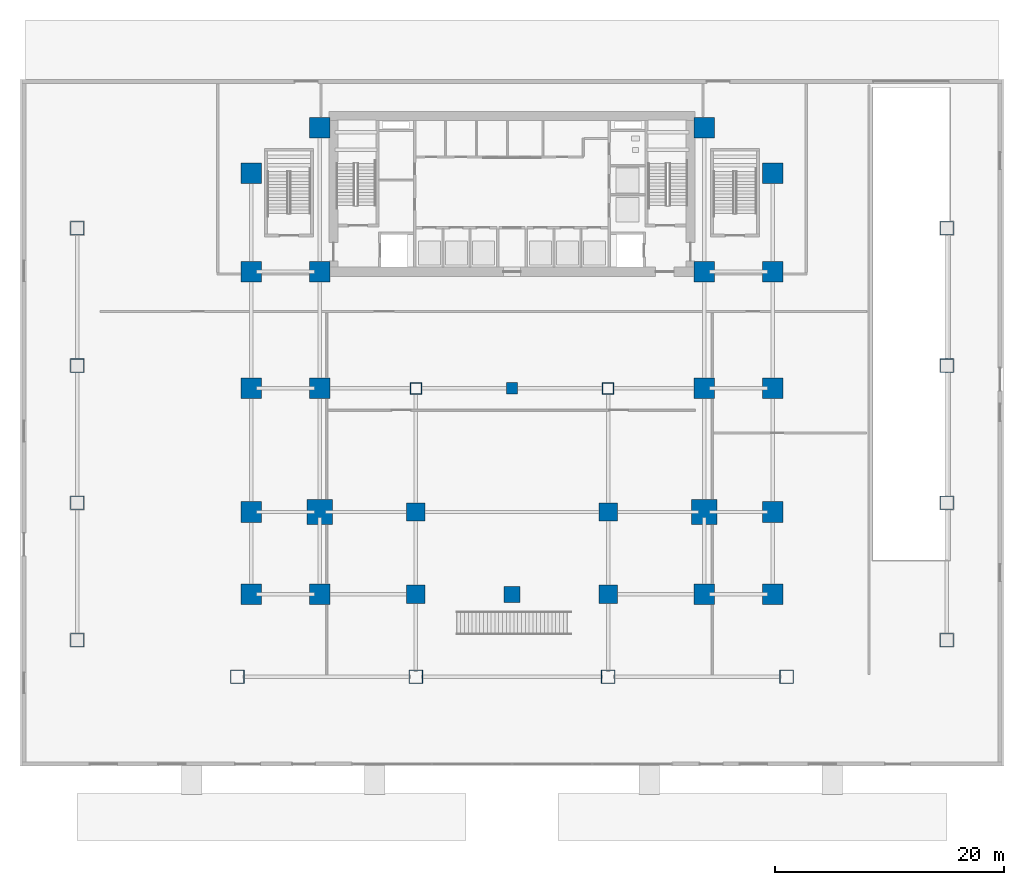
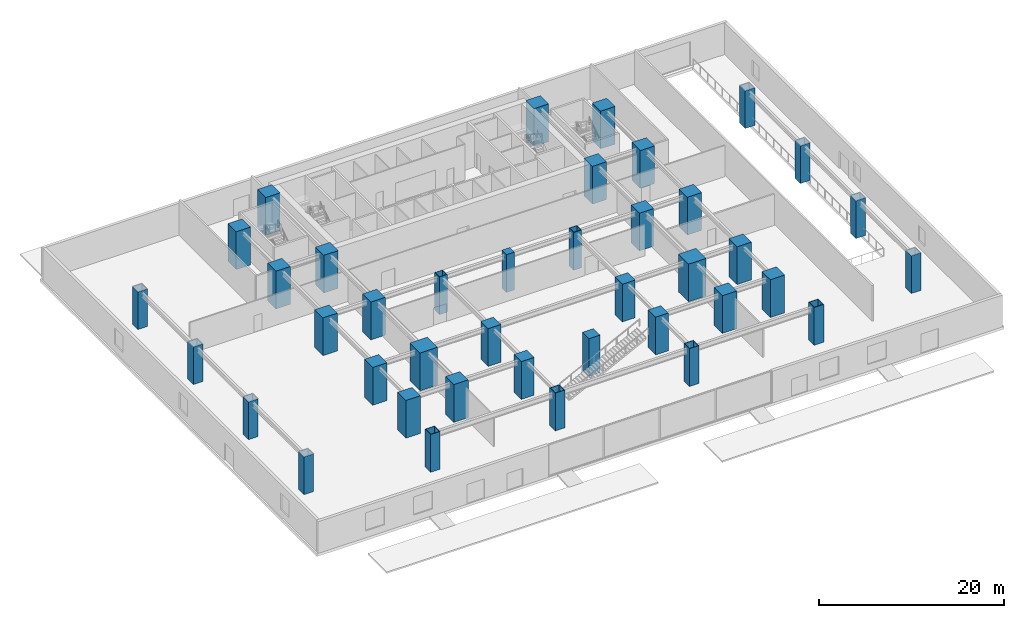
# One storey, part 1 of 18: 40 columns.
"""IFC4 building model written with IfcOpenShell, lengths in metres."""

from ifc_helpers import new_model, si_unit, direction, frame, origin, origin_with_axes, origin_2d, place, context, subcontext, project, spatial, rectangle, hollow_rectangle, extrude, source, transform, mapped, material, material_profile, profile_set, type_object, element, save


model = new_model("IFC4")

# Units and contexts
model_context = context("Model", 3, precision=1e-05, world=origin(), true_north=direction((0.0, 1.0)))
body_context = subcontext(model_context, "Body", "Model", "MODEL_VIEW")
ifc_project = project(units=[si_unit("LENGTHUNIT", "METRE"), si_unit("AREAUNIT", "SQUARE_METRE"), si_unit("VOLUMEUNIT", "CUBIC_METRE"), si_unit("PLANEANGLEUNIT", "RADIAN"), si_unit("MASSUNIT", "GRAM", prefix="KILO")], contexts=[model_context])

# Site, building, storey
site_placement = place(None, origin())
site = spatial("IfcSite", under=ifc_project, at=site_placement, CompositionType="ELEMENT")
building_placement = place(site_placement, origin())
building = spatial("IfcBuilding", under=site, at=building_placement, Name="Sumidabori Civic Tower", CompositionType="ELEMENT")
storey_placement = place(building_placement, origin())
storey = spatial("IfcBuildingStorey", under=building, at=storey_placement, Name="L00", CompositionType="ELEMENT", Elevation=0.0)

# Columns
ifc_material_1 = material(Name="Steel SM570", Category="steel")
ifc_material_profile_1 = material_profile(ifc_material_1, hollow_rectangle(XDim=1.199951171875, YDim=1.199951171875, WallThickness=0.054931640625, at=origin_2d()), Name="SHS 1200x1200x55")
ifc_profile_set_1 = profile_set([ifc_material_profile_1], Name="Steel SM570")
column_type_1 = type_object("IfcColumnType", Name="CL-POD-SHS1200", PredefinedType="COLUMN", material=ifc_profile_set_1)
shared_shape_1 = source(origin(), body_context, "Body", "SweptSolid", [
    extrude(hollow_rectangle(XDim=1.199951171875, YDim=1.199951171875, WallThickness=0.054931640625, at=origin_2d()), origin(), (0.0, 0.0, 1.0), 4.969970703125),
])
for number, where, z_axis, x_axis, name in (
    (1, (-38.0, -22.0, 0.0), (0.0, 0.0, 1.0), (1.0, 0.0, 0.0), "Column PC-W1 L00"),
    (2, (-38.0, -10.0, 0.0), (0.0, 0.0, 1.0), (1.0, 0.0, 0.0), "Column PC-W2 L00"),
    (3, (-38.0, 2.0, 0.0), (0.0, 0.0, 1.0), (1.0, 0.0, 0.0), "Column PC-W3 L00"),
    (4, (-38.0, 14.0, 0.0), (0.0, 0.0, 1.0), (1.0, 0.0, 0.0), "Column PC-W4 L00"),
    (5, (38.0, -22.0, 0.0), (0.0, 0.0, 1.0), (1.0, 0.0, 0.0), "Column PC-E1 L00"),
    (6, (38.0, -10.0, 0.0), (0.0, 0.0, 1.0), (1.0, 0.0, 0.0), "Column PC-E2 L00"),
    (7, (38.0, 2.0, 0.0), (0.0, 0.0, 1.0), (1.0, 0.0, 0.0), "Column PC-E3 L00"),
    (8, (38.0, 14.0, 0.0), (0.0, 0.0, 1.0), (1.0, 0.0, 0.0), "Column PC-E4 L00"),
):
    element("IfcColumn", number, at=place(storey_placement, frame(where, z_axis=z_axis, x_axis=x_axis)), inside=storey, type_object=column_type_1, Name=name, PredefinedType="COLUMN", context=body_context, shape_type="MappedRepresentation", body=[
        mapped(shared_shape_1, transform((0.0, 0.0, 0.0), x_axis=(1.0, 0.0, 0.0), y_axis=(0.0, 1.0, 0.0), z_axis=(0.0, 0.0, 1.0), scale=1.0)),
    ])
shared_shape_2 = source(origin(), body_context, "Body", "SweptSolid", [
    extrude(hollow_rectangle(XDim=1.199951171875, YDim=1.199951171875, WallThickness=0.054931640625, at=origin_2d()), origin(), (0.0, 0.0, 1.0), 5.0),
])
for number, where, z_axis, x_axis, name in (
    (9, (-24.0, -25.199951171875, 0.0), (0.0, 0.0, 1.0), (1.0, 0.0, 0.0), "Column PC-S1 L00"),
    (10, (-8.39990234375, -25.199951171875, 0.0), (0.0, 0.0, 1.0), (1.0, 0.0, 0.0), "Column PC-S2 L00"),
    (11, (8.39990234375, -25.199951171875, 0.0), (0.0, 0.0, 1.0), (1.0, 0.0, 0.0), "Column PC-S3 L00"),
    (12, (24.0, -25.199951171875, 0.0), (0.0, 0.0, 1.0), (1.0, 0.0, 0.0), "Column PC-S4 L00"),
):
    element("IfcColumn", number, at=place(storey_placement, frame(where, z_axis=z_axis, x_axis=x_axis)), inside=storey, type_object=column_type_1, Name=name, PredefinedType="COLUMN", context=body_context, shape_type="MappedRepresentation", body=[
        mapped(shared_shape_2, transform((0.0, 0.0, 0.0), x_axis=(1.0, 0.0, 0.0), y_axis=(0.0, 1.0, 0.0), z_axis=(0.0, 0.0, 1.0), scale=1.0)),
    ])
ifc_material_2 = material(Name="Concrete C60/75", Category="concrete")
ifc_material_profile_2 = material_profile(ifc_material_2, rectangle(XDim=1.800048828125, YDim=1.800048828125, at=origin_2d()), Name="RC 1800x1800")
ifc_profile_set_2 = profile_set([ifc_material_profile_2], Name="Concrete C60/75")
column_type_2 = type_object("IfcColumnType", Name="CL-MEGA-1800", PredefinedType="COLUMN", material=ifc_profile_set_2)
shared_shape_3 = source(origin(), body_context, "Body", "SweptSolid", [
    extrude(rectangle(XDim=1.800048828125, YDim=1.800048828125, at=origin_2d()), origin(), (0.0, 0.0, 1.0), 5.0),
])
for number, where, z_axis, x_axis, name in (
    (13, (-16.800048828125, -18.0, 0.0), (0.0, 0.0, 1.0), (1.0, 0.0, 0.0), "Column MC-W16-Y18S L00"),
    (14, (-16.800048828125, 0.0, 0.0), (0.0, 0.0, 1.0), (1.0, 0.0, 0.0), "Column MC-W16-Y00 L00"),
    (15, (-16.800048828125, 10.199951171875, 0.0), (0.0, 0.0, 1.0), (1.0, 0.0, 0.0), "Column MC-W16-Y10N L00"),
    (16, (-16.800048828125, 22.800048828125, 0.0), (0.0, 0.0, 1.0), (1.0, 0.0, 0.0), "Column MC-W16-Y23N L00"),
    (17, (16.800048828125, -18.0, 0.0), (0.0, 0.0, 1.0), (1.0, 0.0, 0.0), "Column MC-E16-Y18S L00"),
    (18, (16.800048828125, 0.0, 0.0), (0.0, 0.0, 1.0), (1.0, 0.0, 0.0), "Column MC-E16-Y00 L00"),
    (19, (16.800048828125, 10.199951171875, 0.0), (0.0, 0.0, 1.0), (1.0, 0.0, 0.0), "Column MC-E16-Y10N L00"),
    (20, (16.800048828125, 22.800048828125, 0.0), (0.0, 0.0, 1.0), (1.0, 0.0, 0.0), "Column MC-E16-Y23N L00"),
    (21, (-22.800048828125, -18.0, 0.0), (0.0, 0.0, 1.0), (1.0, 0.0, 0.0), "Column MC-W23-Y18S L00"),
    (22, (-22.800048828125, -10.800048828125, 0.0), (0.0, 0.0, 1.0), (1.0, 0.0, 0.0), "Column MC-W23-Y11S L00"),
    (23, (-22.800048828125, 0.0, 0.0), (0.0, 0.0, 1.0), (1.0, 0.0, 0.0), "Column MC-W23-Y00 L00"),
    (24, (-22.800048828125, 10.199951171875, 0.0), (0.0, 0.0, 1.0), (1.0, 0.0, 0.0), "Column MC-W23-Y10N L00"),
    (25, (-22.800048828125, 18.800048828125, 0.0), (0.0, 0.0, 1.0), (1.0, 0.0, 0.0), "Column MC-W23-Y19N L00"),
    (26, (22.800048828125, -18.0, 0.0), (0.0, 0.0, 1.0), (1.0, 0.0, 0.0), "Column MC-E23-Y18S L00"),
    (27, (22.800048828125, -10.800048828125, 0.0), (0.0, 0.0, 1.0), (1.0, 0.0, 0.0), "Column MC-E23-Y11S L00"),
    (28, (22.800048828125, 0.0, 0.0), (0.0, 0.0, 1.0), (1.0, 0.0, 0.0), "Column MC-E23-Y00 L00"),
    (29, (22.800048828125, 10.199951171875, 0.0), (0.0, 0.0, 1.0), (1.0, 0.0, 0.0), "Column MC-E23-Y10N L00"),
    (30, (22.800048828125, 18.800048828125, 0.0), (0.0, 0.0, 1.0), (1.0, 0.0, 0.0), "Column MC-E23-Y19N L00"),
):
    element("IfcColumn", number, at=place(storey_placement, frame(where, z_axis=z_axis, x_axis=x_axis)), inside=storey, type_object=column_type_2, Name=name, PredefinedType="COLUMN", context=body_context, shape_type="MappedRepresentation", body=[
        mapped(shared_shape_3, transform((0.0, 0.0, 0.0), x_axis=(1.0, 0.0, 0.0), y_axis=(0.0, 1.0, 0.0), z_axis=(0.0, 0.0, 1.0), scale=1.0)),
    ])
ifc_material_profile_3 = material_profile(ifc_material_2, rectangle(XDim=2.199951171875, YDim=2.199951171875, at=origin_2d()), Name="RC 2200x2200")
ifc_profile_set_3 = profile_set([ifc_material_profile_3], Name="Concrete C60/75")
column_type_3 = type_object("IfcColumnType", Name="CL-SUPER-2200", PredefinedType="COLUMN", material=ifc_profile_set_3)
shared_shape_4 = source(origin(), body_context, "Body", "SweptSolid", [
    extrude(rectangle(XDim=2.199951171875, YDim=2.199951171875, at=origin_2d()), origin(), (0.0, 0.0, 1.0), 5.0),
])
for number, where, z_axis, x_axis, name in (
    (31, (-16.800048828125, -10.800048828125, 0.0), (0.0, 0.0, 1.0), (1.0, 0.0, 0.0), "Column MC-W16-Y11S L00"),
    (32, (16.800048828125, -10.800048828125, 0.0), (0.0, 0.0, 1.0), (1.0, 0.0, 0.0), "Column MC-E16-Y11S L00"),
):
    element("IfcColumn", number, at=place(storey_placement, frame(where, z_axis=z_axis, x_axis=x_axis)), inside=storey, type_object=column_type_3, Name=name, PredefinedType="COLUMN", context=body_context, shape_type="MappedRepresentation", body=[
        mapped(shared_shape_4, transform((0.0, 0.0, 0.0), x_axis=(1.0, 0.0, 0.0), y_axis=(0.0, 1.0, 0.0), z_axis=(0.0, 0.0, 1.0), scale=1.0)),
    ])
ifc_material_profile_4 = material_profile(ifc_material_2, rectangle(XDim=1.60009765625, YDim=1.60009765625, at=origin_2d()), Name="RC 1600x1600")
ifc_profile_set_4 = profile_set([ifc_material_profile_4], Name="Concrete C60/75")
column_type_4 = type_object("IfcColumnType", Name="CL-MEGA-1600", PredefinedType="COLUMN", material=ifc_profile_set_4)
shared_shape_5 = source(origin(), body_context, "Body", "SweptSolid", [
    extrude(rectangle(XDim=1.60009765625, YDim=1.60009765625, at=origin_2d()), origin(), (0.0, 0.0, 1.0), 5.0),
])
for number, where, z_axis, x_axis, name in (
    (33, (-8.39990234375, -18.0, 0.0), (0.0, 0.0, 1.0), (1.0, 0.0, 0.0), "Column MC-W08-Y18S L00"),
    (34, (-8.39990234375, -10.800048828125, 0.0), (0.0, 0.0, 1.0), (1.0, 0.0, 0.0), "Column MC-W08-Y11S L00"),
    (35, (8.39990234375, -18.0, 0.0), (0.0, 0.0, 1.0), (1.0, 0.0, 0.0), "Column MC-E08-Y18S L00"),
    (36, (8.39990234375, -10.800048828125, 0.0), (0.0, 0.0, 1.0), (1.0, 0.0, 0.0), "Column MC-E08-Y11S L00"),
):
    element("IfcColumn", number, at=place(storey_placement, frame(where, z_axis=z_axis, x_axis=x_axis)), inside=storey, type_object=column_type_4, Name=name, PredefinedType="COLUMN", context=body_context, shape_type="MappedRepresentation", body=[
        mapped(shared_shape_5, transform((0.0, 0.0, 0.0), x_axis=(1.0, 0.0, 0.0), y_axis=(0.0, 1.0, 0.0), z_axis=(0.0, 0.0, 1.0), scale=1.0)),
    ])
ifc_material_profile_5 = material_profile(ifc_material_1, hollow_rectangle(XDim=1.0, YDim=1.0, WallThickness=0.044921875, at=origin_2d()), Name="SHS 1000x1000x45")
ifc_profile_set_5 = profile_set([ifc_material_profile_5], Name="Steel SM570")
column_type_5 = type_object("IfcColumnType", Name="CL-PORTAL-SHS1000", PredefinedType="COLUMN", material=ifc_profile_set_5)
shared_shape_6 = source(origin(), body_context, "Body", "SweptSolid", [
    extrude(hollow_rectangle(XDim=1.0, YDim=1.0, WallThickness=0.044921875, at=origin_2d()), origin(), (0.0, 0.0, 1.0), 5.0),
])
for number, where, z_axis, x_axis, name in (
    (37, (-8.39990234375, 0.0, 0.0), (0.0, 0.0, 1.0), (1.0, 0.0, 0.0), "Column MC-W08-Y00 L00"),
    (38, (8.39990234375, 0.0, 0.0), (0.0, 0.0, 1.0), (1.0, 0.0, 0.0), "Column MC-E08-Y00 L00"),
):
    element("IfcColumn", number, at=place(storey_placement, frame(where, z_axis=z_axis, x_axis=x_axis)), inside=storey, type_object=column_type_5, Name=name, PredefinedType="COLUMN", context=body_context, shape_type="MappedRepresentation", body=[
        mapped(shared_shape_6, transform((0.0, 0.0, 0.0), x_axis=(1.0, 0.0, 0.0), y_axis=(0.0, 1.0, 0.0), z_axis=(0.0, 0.0, 1.0), scale=1.0)),
    ])
ifc_material_profile_6 = material_profile(ifc_material_2, rectangle(XDim=1.39990234375, YDim=1.39990234375, at=origin_2d()), Name="RC 1400x1400")
ifc_profile_set_6 = profile_set([ifc_material_profile_6], Name="Concrete C60/75")
column_type_6 = type_object("IfcColumnType", Name="CL-MEGA-1400", PredefinedType="COLUMN", material=ifc_profile_set_6)
shared_shape_7 = source(origin(), body_context, "Body", "SweptSolid", [
    extrude(rectangle(XDim=1.39990234375, YDim=1.39990234375, at=origin_2d()), origin(), (0.0, 0.0, 1.0), 5.0),
])
column_1_placement = place(storey_placement, frame((0.0, -18.0, 0.0), z_axis=(0.0, 0.0, 1.0), x_axis=(1.0, 0.0, 0.0)))
element("IfcColumn", 39, at=column_1_placement, inside=storey, type_object=column_type_6, Name="Column MC-C00-Y18S L00", PredefinedType="COLUMN", context=body_context, shape_type="MappedRepresentation", body=[
    mapped(shared_shape_7, transform((0.0, 0.0, 0.0), x_axis=(1.0, 0.0, 0.0), y_axis=(0.0, 1.0, 0.0), z_axis=(0.0, 0.0, 1.0), scale=1.0)),
])
ifc_material_3 = material(Name="Concrete C50/60", Category="concrete")
ifc_material_profile_7 = material_profile(ifc_material_3, rectangle(XDim=1.0, YDim=1.0, at=origin_2d()), Name="RC 1000x1000")
ifc_profile_set_7 = profile_set([ifc_material_profile_7], Name="Concrete C50/60")
column_type_7 = type_object("IfcColumnType", Name="CL-INT-1000", PredefinedType="COLUMN", material=ifc_profile_set_7)
shared_shape_8 = source(origin(), body_context, "Body", "SweptSolid", [
    extrude(rectangle(XDim=1.0, YDim=1.0, at=origin_2d()), origin(), (0.0, 0.0, 1.0), 5.0),
])
column_2_placement = place(storey_placement, origin_with_axes())
element("IfcColumn", 40, at=column_2_placement, inside=storey, type_object=column_type_7, Name="Column MC-C00-Y00 L00", PredefinedType="COLUMN", context=body_context, shape_type="MappedRepresentation", body=[
    mapped(shared_shape_8, transform((0.0, 0.0, 0.0), x_axis=(1.0, 0.0, 0.0), y_axis=(0.0, 1.0, 0.0), z_axis=(0.0, 0.0, 1.0), scale=1.0)),
])

save(model, "model.ifc")
